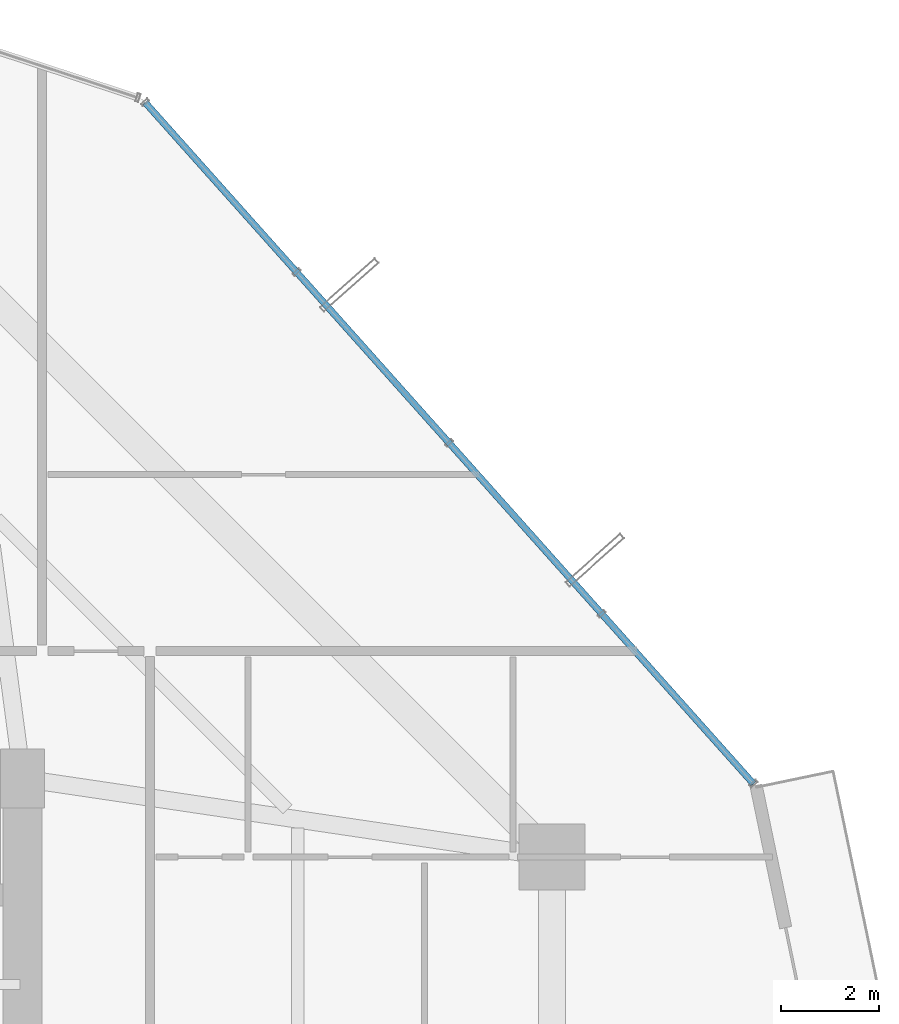
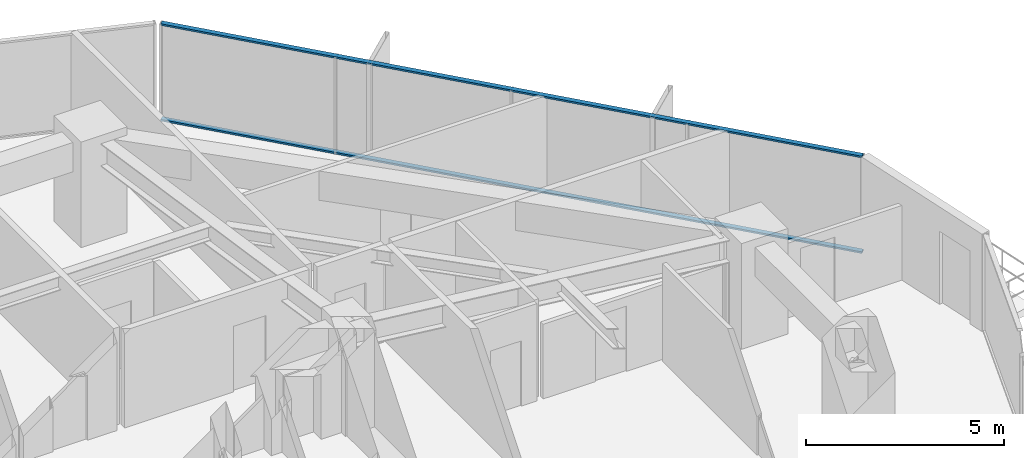
# One storey, part 30 of 38: 2 members, 1 element without a shape of its own.
"""IFC4 building model written with IfcOpenShell, lengths in metres."""

from ifc_helpers import new_model, si_unit, direction, frame, origin, origin_2d, place, context, subcontext, project, spatial, hollow_rectangle, extrude, source, transform, mapped, material, layer, layer_set, material_profile, profile_set, type_object, element, aggregate, save


model = new_model("IFC4")

# Units and contexts
model_context = context("Model", 3, precision=1e-05, world=origin(), true_north=direction((0.0, 1.0)))
body_context = subcontext(model_context, "Body", "Model", "MODEL_VIEW")
ifc_project = project(units=[si_unit("LENGTHUNIT", "METRE"), si_unit("AREAUNIT", "SQUARE_METRE"), si_unit("VOLUMEUNIT", "CUBIC_METRE"), si_unit("PLANEANGLEUNIT", "RADIAN"), si_unit("MASSUNIT", "GRAM", prefix="KILO")], contexts=[model_context])

# Site, building, storey
site_placement = place(None, origin())
site = spatial("IfcSite", under=ifc_project, at=site_placement, CompositionType="ELEMENT")
building_placement = place(site_placement, origin())
building = spatial("IfcBuilding", under=site, at=building_placement, Name="Veraguas Prism Commons", CompositionType="ELEMENT")
storey_placement = place(building_placement, frame((0.0, 0.0, 64.10009765625)))
storey = spatial("IfcBuildingStorey", under=building, at=storey_placement, Name="L17", CompositionType="ELEMENT", Elevation=64.10009765625)

# Curtain wall, members
ifc_material = material(Name="Anodised aluminium EN AW-6063 T6", Category="aluminium")
ifc_layer = layer(ifc_material, 0.169921875, Name="Unitised Flush Curtain Wall Zone 1", Category="aluminium")
ifc_layer_set = layer_set([ifc_layer], Name="Anodised aluminium EN AW-6063 T6")
curtain_wall_type = type_object("IfcCurtainWallType", Name="Unitised Flush Curtain Wall Zone 1", PredefinedType="NOTDEFINED", material=ifc_layer_set)
curtain_wall_placement = place(storey_placement, origin())
curtain_wall = element("IfcCurtainWall", 1, at=curtain_wall_placement, inside=storey, type_object=curtain_wall_type, Name="Tower Facade Curtain Wall L17-F1", PredefinedType="NOTDEFINED")
ifc_material_profile = material_profile(ifc_material, hollow_rectangle(XDim=0.054931640625, YDim=0.135009765625, WallThickness=0.0029296875, at=origin_2d()), Name="AL55X135X3")
ifc_profile_set = profile_set([ifc_material_profile], Name="Anodised aluminium EN AW-6063 T6")
member_type = type_object("IfcMemberType", Name="Curtain Wall Transom Standard AL 55x135x3", PredefinedType="USERDEFINED", material=ifc_profile_set)
shared_shape = source(origin(), body_context, "Body", "SweptSolid", [
    extrude(hollow_rectangle(XDim=0.054931640625, YDim=0.135009765625, WallThickness=0.0029296875, at=origin_2d()), origin(), (0.0, 0.0, 1.0), 18.62353515625),
])
member_1_placement = place(storey_placement, frame((45.705810546875, 30.896728515625, 0.02734375), z_axis=(-0.666013164211, 0.745939987598, 0.0), x_axis=(0.0, 0.0, 1.0)))
member_1 = element("IfcMember", 2, at=member_1_placement, type_object=member_type, Name="CW-Z1 Transom 1", ObjectType="TRANSOM", PredefinedType="USERDEFINED", context=body_context, shape_type="MappedRepresentation", body=[
    mapped(shared_shape, transform((0.0, 0.0, 0.0), scale=1.0)),
])
member_2_placement = place(storey_placement, frame((45.705810546875, 30.896728515625, 2.972412109375), z_axis=(-0.666013164211, 0.745939987598, 0.0), x_axis=(0.0, 0.0, 1.0)))
member_2 = element("IfcMember", 3, at=member_2_placement, type_object=member_type, Name="CW-Z1 Transom 2", ObjectType="TRANSOM", PredefinedType="USERDEFINED", context=body_context, shape_type="MappedRepresentation", body=[
    mapped(shared_shape, transform((0.0, 0.0, 0.0), scale=1.0)),
])
aggregate(curtain_wall, [member_1, member_2])

save(model, "model.ifc")
